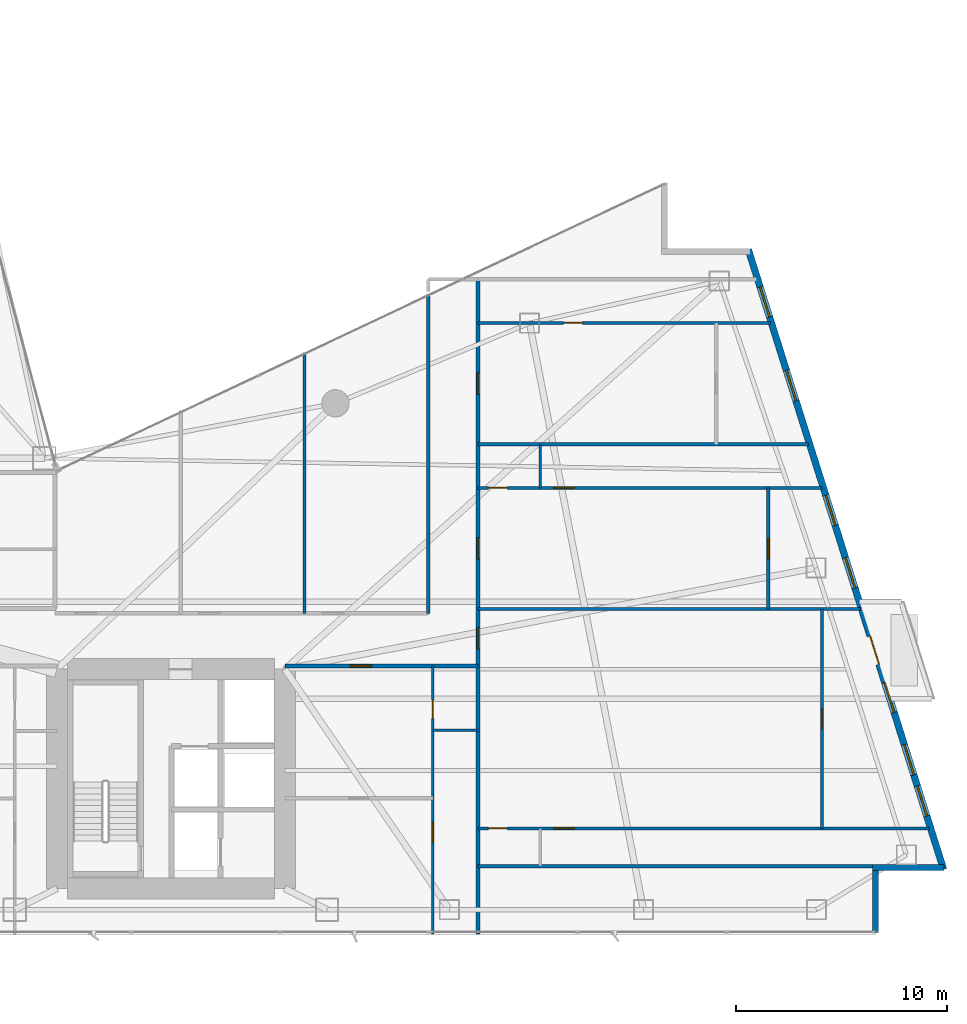
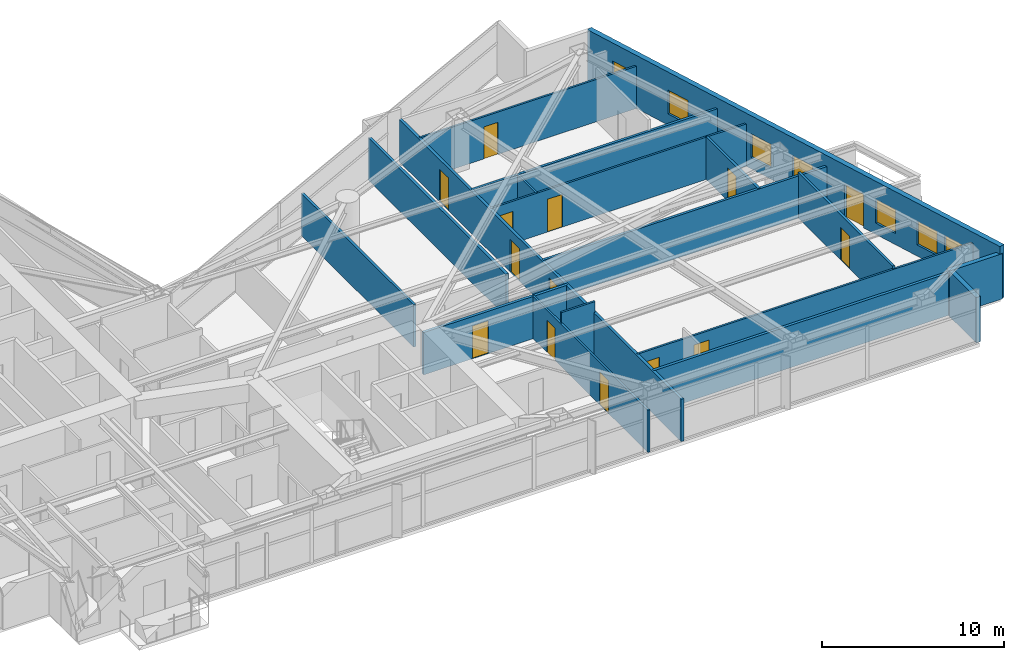
# One storey, part 24 of 29: 18 walls, 14 doors, 7 windows, 21 openings.
"""IFC4 building model written with IfcOpenShell, lengths in metres."""

from ifc_helpers import new_model, si_unit, direction, frame, frame_2d, origin, place, context, subcontext, project, spatial, rectangle, extrude, material, layer, layer_set, type_object, element, fill, save


model = new_model("IFC4")

# Units and contexts
model_context = context("Model", 3, precision=1e-05, world=origin(), true_north=direction((0.0, 1.0)))
body_context = subcontext(model_context, "Body", "Model", "MODEL_VIEW")
ifc_project = project(units=[si_unit("LENGTHUNIT", "METRE"), si_unit("AREAUNIT", "SQUARE_METRE"), si_unit("VOLUMEUNIT", "CUBIC_METRE"), si_unit("PLANEANGLEUNIT", "RADIAN"), si_unit("MASSUNIT", "GRAM", prefix="KILO")], contexts=[model_context])

# Site, building, storey
site_placement = place(None, origin())
site = spatial("IfcSite", under=ifc_project, at=site_placement, CompositionType="ELEMENT")
building_placement = place(site_placement, origin())
building = spatial("IfcBuilding", under=site, at=building_placement, Name="Calvorn Quay Hotel", CompositionType="ELEMENT")
storey_placement = place(building_placement, frame((0.0, 0.0, 58.39990234375)))
storey = spatial("IfcBuildingStorey", under=building, at=storey_placement, Name="L13", CompositionType="ELEMENT", Elevation=58.39990234375)

# Wall, opening, door
ifc_material_1 = material(Name="Acoustic Fireboard Steel-Stud Partition", Category="steel")
ifc_layer_1 = layer(ifc_material_1, 0.179931640625)
ifc_layer_set_1 = layer_set([ifc_layer_1], Name="WL-CORR-FIRE-180")
wall_type_1 = type_object("IfcWallType", Name="WL-CORR-FIRE-180", PredefinedType="PARTITIONING", material=ifc_layer_set_1)
wall_1_placement = place(storey_placement, frame((32.39990234375, 15.14990234375, 0.0), z_axis=(0.0, 0.0, 1.0), x_axis=(1.0, 0.0, 0.0)))
wall_1 = element("IfcWall", 1, at=wall_1_placement, inside=storey, type_object=wall_type_1, Name="Partition Wall L13-WL-CORR-SE-S", PredefinedType="PARTITIONING", context=body_context, shape_type="SweptSolid", body=[
    extrude(rectangle(XDim=9.150146484375, YDim=0.179931640625, at=frame_2d((4.5751953125, 0.0))), origin(), (0.0, 0.0, 1.0), 2.840087890625),
])
opening_1_placement = place(wall_1_placement, frame((3.10009765625, 0.0, 0.0)))
opening_1 = element("IfcOpeningElement", 2, at=opening_1_placement, cuts=wall_1, Name="Opening D-L13-U06", PredefinedType="OPENING", context=body_context, shape_type="SweptSolid", body=[
    extrude(rectangle(XDim=1.02001953125, YDim=2.199951171875, at=frame_2d((0.510009765625, 1.10009765625))), frame((0.0, 0.099853515625, 0.0), z_axis=(0.0, -1.0, 0.0), x_axis=(1.0, 0.0, 0.0)), (0.0, 0.0, 1.0), 0.199951171875),
])
ifc_material_2 = material(Name="Solid-Core Walnut Veneer Hotel Fire Door")
door_type_1 = type_object("IfcDoorType", Name="DR-GUEST-ENTRY-1020", OperationType="NOTDEFINED", PredefinedType="DOOR", material=ifc_material_2)
door_1_placement = place(opening_1_placement, origin())
door_1 = element("IfcDoor", 3, at=door_1_placement, inside=storey, type_object=door_type_1, Name="South-East Unit Door U06 (L13)", OperationType="SINGLE_SWING_LEFT", OverallHeight=2.199951171875, OverallWidth=1.02001953125, PredefinedType="DOOR", context=body_context, shape_type="SweptSolid", body=[
    extrude(rectangle(XDim=1.02001953125, YDim=2.199951171875, at=frame_2d((0.510009765625, 1.10009765625))), frame((0.0, 0.02490234375, 0.0), z_axis=(0.0, -1.0, 0.0), x_axis=(1.0, 0.0, 0.0)), (0.0, 0.0, 1.0), 0.050048828125),
])
fill(opening_1, door_1)

# Walls
wall_2_placement = place(storey_placement, frame((39.199951171875, 17.64990234375, 0.0), z_axis=(0.0, 0.0, 1.0), x_axis=(0.0, 1.0, 0.0)))
element("IfcWall", 4, at=wall_2_placement, inside=storey, type_object=wall_type_1, Name="Partition Wall L13-WL-NE-END-E", PredefinedType="PARTITIONING", context=body_context, shape_type="SweptSolid", body=[
    extrude(rectangle(XDim=15.14013671875, YDim=0.179931640625, at=frame_2d((7.570068359375, 0.0))), origin(), (0.0, 0.0, 1.0), 2.840087890625),
])
wall_3_placement = place(storey_placement, frame((41.550048828125, 5.659912109375, 0.0), z_axis=(0.0, 0.0, 1.0), x_axis=(1.0, 0.0, 0.0)))
element("IfcWall", 5, at=wall_3_placement, inside=storey, type_object=wall_type_1, Name="Partition Wall L13-WL-TIP-S", PredefinedType="PARTITIONING", context=body_context, shape_type="SweptSolid", body=[
    extrude(rectangle(XDim=18.849853515625, YDim=0.179931640625, at=frame_2d((9.4248046875, 0.0))), origin(), (0.0, 0.0, 1.0), 2.840087890625),
])

# Wall, openings, doors
wall_4_placement = place(storey_placement, frame((41.550048828125, 2.43994140625, 0.0), z_axis=(0.0, 0.0, 1.0), x_axis=(0.0, 1.0, 0.0)))
wall_4 = element("IfcWall", 6, at=wall_4_placement, inside=storey, type_object=wall_type_1, Name="Partition Wall L13-WL-CORR-TIP-E", PredefinedType="PARTITIONING", context=body_context, shape_type="SweptSolid", body=[
    extrude(rectangle(XDim=31.0400390625, YDim=0.179931640625, at=frame_2d((15.52001953125, 0.0))), origin(), (0.0, 0.0, 1.0), 2.840087890625),
])
opening_2_placement = place(wall_4_placement, frame((13.510009765625, 0.0, 0.0)))
opening_2 = element("IfcOpeningElement", 7, at=opening_2_placement, cuts=wall_4, Name="Opening D-L13-U07", PredefinedType="OPENING", context=body_context, shape_type="SweptSolid", body=[
    extrude(rectangle(XDim=1.02001953125, YDim=2.199951171875, at=frame_2d((0.510009765625, 1.10009765625))), frame((0.0, 0.099853515625, 0.0), z_axis=(0.0, -1.0, 0.0), x_axis=(1.0, 0.0, 0.0)), (0.0, 0.0, 1.0), 0.199951171875),
])
opening_3_placement = place(wall_4_placement, frame((17.77001953125, 0.0, 0.0)))
opening_3 = element("IfcOpeningElement", 8, at=opening_3_placement, cuts=wall_4, Name="Opening D-L13-U08", PredefinedType="OPENING", context=body_context, shape_type="SweptSolid", body=[
    extrude(rectangle(XDim=1.02001953125, YDim=2.199951171875, at=frame_2d((0.510009765625, 1.10009765625))), frame((0.0, 0.099853515625, 0.0), z_axis=(0.0, -1.0, 0.0), x_axis=(1.0, 0.0, 0.0)), (0.0, 0.0, 1.0), 0.199951171875),
])
opening_4_placement = place(wall_4_placement, frame((25.580078125, 0.0, 0.0)))
opening_4 = element("IfcOpeningElement", 9, at=opening_4_placement, cuts=wall_4, Name="Opening D-L13-U09", PredefinedType="OPENING", context=body_context, shape_type="SweptSolid", body=[
    extrude(rectangle(XDim=1.02001953125, YDim=2.199951171875, at=frame_2d((0.510009765625, 1.10009765625))), frame((0.0, 0.099853515625, 0.0), z_axis=(0.0, -1.0, 0.0), x_axis=(1.0, 0.0, 0.0)), (0.0, 0.0, 1.0), 0.199951171875),
])
door_2_placement = place(opening_2_placement, origin())
door_2 = element("IfcDoor", 10, at=door_2_placement, inside=storey, type_object=door_type_1, Name="Terrace Suite Door U07 (L13)", OperationType="SINGLE_SWING_LEFT", OverallHeight=2.199951171875, OverallWidth=1.02001953125, PredefinedType="DOOR", context=body_context, shape_type="SweptSolid", body=[
    extrude(rectangle(XDim=1.02001953125, YDim=2.199951171875, at=frame_2d((0.510009765625, 1.10009765625))), frame((0.0, 0.02490234375, 0.0), z_axis=(0.0, -1.0, 0.0), x_axis=(1.0, 0.0, 0.0)), (0.0, 0.0, 1.0), 0.050048828125),
])
fill(opening_2, door_2)
door_3_placement = place(opening_3_placement, origin())
door_3 = element("IfcDoor", 11, at=door_3_placement, inside=storey, type_object=door_type_1, Name="Mid-East Suite Door U08 (L13)", OperationType="SINGLE_SWING_RIGHT", OverallHeight=2.199951171875, OverallWidth=1.02001953125, PredefinedType="DOOR", context=body_context, shape_type="SweptSolid", body=[
    extrude(rectangle(XDim=1.02001953125, YDim=2.199951171875, at=frame_2d((0.510009765625, 1.10009765625))), frame((0.0, 0.02490234375, 0.0), z_axis=(0.0, -1.0, 0.0), x_axis=(1.0, 0.0, 0.0)), (0.0, 0.0, 1.0), 0.050048828125),
])
fill(opening_3, door_3)
door_4_placement = place(opening_4_placement, origin())
door_4 = element("IfcDoor", 12, at=door_4_placement, inside=storey, type_object=door_type_1, Name="Horizon Suite Door U09 (L13)", OperationType="SINGLE_SWING_LEFT", OverallHeight=2.199951171875, OverallWidth=1.02001953125, PredefinedType="DOOR", context=body_context, shape_type="SweptSolid", body=[
    extrude(rectangle(XDim=1.02001953125, YDim=2.199951171875, at=frame_2d((0.510009765625, 1.10009765625))), frame((0.0, 0.02490234375, 0.0), z_axis=(0.0, -1.0, 0.0), x_axis=(1.0, 0.0, 0.0)), (0.0, 0.0, 1.0), 0.050048828125),
])
fill(opening_4, door_4)

# Wall
ifc_material_3 = material(Name="Moisture-Resistant Tile-Backed Partition")
ifc_layer_2 = layer(ifc_material_3, 0.125)
ifc_layer_set_2 = layer_set([ifc_layer_2], Name="WL-ENSUITE-125")
wall_type_2 = type_object("IfcWallType", Name="WL-ENSUITE-125", PredefinedType="PARTITIONING", material=ifc_layer_set_2)
wall_5_placement = place(storey_placement, frame((39.419921875, 12.10009765625, 0.0), z_axis=(0.0, 0.0, 1.0), x_axis=(1.0, 0.0, 0.0)))
element("IfcWall", 13, at=wall_5_placement, inside=storey, type_object=wall_type_2, Name="Partition Wall L13-WL-U06-BDV", PredefinedType="PARTITIONING", context=body_context, shape_type="SweptSolid", body=[
    extrude(rectangle(XDim=2.130126953125, YDim=0.125, at=frame_2d((1.06494140625, 0.0))), origin(), (0.0, 0.0, 1.0), 3.56005859375),
])

# Wall, openings, doors
wall_6_placement = place(storey_placement, frame((39.419921875, 2.43994140625, 0.0), z_axis=(0.0, 0.0, 1.0), x_axis=(0.0, 1.0, 0.0)))
wall_6 = element("IfcWall", 14, at=wall_6_placement, inside=storey, type_object=wall_type_2, Name="Partition Wall L13-WL-U06-BV", PredefinedType="PARTITIONING", context=body_context, shape_type="SweptSolid", body=[
    extrude(rectangle(XDim=12.7099609375, YDim=0.125, at=frame_2d((6.35498046875, 0.0))), origin(), (0.0, 0.0, 1.0), 2.840087890625),
])
opening_5_placement = place(wall_6_placement, frame((4.35009765625, 0.0, 0.0)))
opening_5 = element("IfcOpeningElement", 15, at=opening_5_placement, cuts=wall_6, Name="Opening D-L13-S06", PredefinedType="OPENING", context=body_context, shape_type="SweptSolid", body=[
    extrude(rectangle(XDim=0.9599609375, YDim=2.199951171875, at=frame_2d((0.47998046875, 1.10009765625))), frame((0.0, 0.072509765625, 0.0), z_axis=(0.0, -1.0, 0.0), x_axis=(1.0, 0.0, 0.0)), (0.0, 0.0, 1.0), 0.14501953125),
])
opening_6_placement = place(wall_6_placement, frame((10.2099609375, 0.0, 0.0)))
opening_6 = element("IfcOpeningElement", 16, at=opening_6_placement, cuts=wall_6, Name="Opening D-L13-E06", PredefinedType="OPENING", context=body_context, shape_type="SweptSolid", body=[
    extrude(rectangle(XDim=0.89990234375, YDim=2.14990234375, at=frame_2d((0.449951171875, 1.074951171875))), frame((0.0, 0.072509765625, 0.0), z_axis=(0.0, -1.0, 0.0), x_axis=(1.0, 0.0, 0.0)), (0.0, 0.0, 1.0), 0.14501953125),
])
ifc_material_4 = material(Name="Moisture-Sealed Timber En-Suite Door", Category="wood")
door_type_2 = type_object("IfcDoorType", Name="DR-ENSUITE-900", OperationType="NOTDEFINED", PredefinedType="DOOR", material=ifc_material_4)
door_5_placement = place(opening_6_placement, origin())
door_5 = element("IfcDoor", 17, at=door_5_placement, inside=storey, type_object=door_type_2, Name="En-Suite Door 06", OperationType="SINGLE_SWING_RIGHT", OverallHeight=2.14990234375, OverallWidth=0.89990234375, PredefinedType="DOOR", context=body_context, shape_type="SweptSolid", body=[
    extrude(rectangle(XDim=0.89990234375, YDim=2.14990234375, at=frame_2d((0.449951171875, 1.074951171875))), frame((0.0, 0.02490234375, 0.0), z_axis=(0.0, -1.0, 0.0), x_axis=(1.0, 0.0, 0.0)), (0.0, 0.0, 1.0), 0.050048828125),
])
fill(opening_6, door_5)
ifc_material_5 = material(Name="Solid Timber Internal Suite Door", Category="wood")
door_type_3 = type_object("IfcDoorType", Name="DR-SUITE-INT-960", OperationType="NOTDEFINED", PredefinedType="DOOR", material=ifc_material_5)
door_6_placement = place(opening_5_placement, origin())
door_6 = element("IfcDoor", 18, at=door_6_placement, inside=storey, type_object=door_type_3, Name="Private Executive Study Door 06", OperationType="SINGLE_SWING_LEFT", OverallHeight=2.199951171875, OverallWidth=0.9599609375, PredefinedType="DOOR", context=body_context, shape_type="SweptSolid", body=[
    extrude(rectangle(XDim=0.9599609375, YDim=2.199951171875, at=frame_2d((0.47998046875, 1.10009765625))), frame((0.0, 0.02490234375, 0.0), z_axis=(0.0, -1.0, 0.0), x_axis=(1.0, 0.0, 0.0)), (0.0, 0.0, 1.0), 0.050048828125),
])
fill(opening_5, door_6)

wall_7_placement = place(storey_placement, frame((41.550048828125, 7.449951171875, 0.0), z_axis=(0.0, 0.0, 1.0), x_axis=(1.0, 0.0, 0.0)))
wall_7 = element("IfcWall", 19, at=wall_7_placement, inside=storey, type_object=wall_type_2, Name="Partition Wall L13-WL-U07-BH", PredefinedType="PARTITIONING", context=body_context, shape_type="SweptSolid", body=[
    extrude(rectangle(XDim=21.409912109375, YDim=0.125, at=frame_2d((10.705078125, 0.0))), origin(), (0.0, 0.0, 1.0), 2.840087890625),
])
opening_7_placement = place(wall_7_placement, frame((0.5, 0.0, 0.0)))
opening_7 = element("IfcOpeningElement", 20, at=opening_7_placement, cuts=wall_7, Name="Opening D-L13-E07", PredefinedType="OPENING", context=body_context, shape_type="SweptSolid", body=[
    extrude(rectangle(XDim=0.89990234375, YDim=2.14990234375, at=frame_2d((0.449951171875, 1.074951171875))), frame((0.0, 0.072509765625, 0.0), z_axis=(0.0, -1.0, 0.0), x_axis=(1.0, 0.0, 0.0)), (0.0, 0.0, 1.0), 0.14501953125),
])
opening_8_placement = place(wall_7_placement, frame((3.60009765625, 0.0, 0.0)))
opening_8 = element("IfcOpeningElement", 21, at=opening_8_placement, cuts=wall_7, Name="Opening D-L13-S07", PredefinedType="OPENING", context=body_context, shape_type="SweptSolid", body=[
    extrude(rectangle(XDim=0.9599609375, YDim=2.199951171875, at=frame_2d((0.47998046875, 1.10009765625))), frame((0.0, 0.072509765625, 0.0), z_axis=(0.0, -1.0, 0.0), x_axis=(1.0, 0.0, 0.0)), (0.0, 0.0, 1.0), 0.14501953125),
])
door_7_placement = place(opening_7_placement, origin())
door_7 = element("IfcDoor", 22, at=door_7_placement, inside=storey, type_object=door_type_2, Name="En-Suite Door 07", OperationType="SINGLE_SWING_LEFT", OverallHeight=2.14990234375, OverallWidth=0.89990234375, PredefinedType="DOOR", context=body_context, shape_type="SweptSolid", body=[
    extrude(rectangle(XDim=0.89990234375, YDim=2.14990234375, at=frame_2d((0.449951171875, 1.074951171875))), frame((0.0, 0.02490234375, 0.0), z_axis=(0.0, -1.0, 0.0), x_axis=(1.0, 0.0, 0.0)), (0.0, 0.0, 1.0), 0.050048828125),
])
fill(opening_7, door_7)
door_8_placement = place(opening_8_placement, origin())
door_8 = element("IfcDoor", 23, at=door_8_placement, inside=storey, type_object=door_type_3, Name="Private Executive Study Door 07", OperationType="SINGLE_SWING_RIGHT", OverallHeight=2.199951171875, OverallWidth=0.9599609375, PredefinedType="DOOR", context=body_context, shape_type="SweptSolid", body=[
    extrude(rectangle(XDim=0.9599609375, YDim=2.199951171875, at=frame_2d((0.47998046875, 1.10009765625))), frame((0.0, 0.02490234375, 0.0), z_axis=(0.0, -1.0, 0.0), x_axis=(1.0, 0.0, 0.0)), (0.0, 0.0, 1.0), 0.050048828125),
])
fill(opening_8, door_8)

# Wall
wall_8_placement = place(storey_placement, frame((44.5, 23.590087890625, 0.0), z_axis=(0.0, 0.0, 1.0), x_axis=(0.0, 1.0, 0.0)))
element("IfcWall", 24, at=wall_8_placement, inside=storey, type_object=wall_type_2, Name="Partition Wall L13-WL-U08-BDV", PredefinedType="PARTITIONING", context=body_context, shape_type="SweptSolid", body=[
    extrude(rectangle(XDim=2.06982421875, YDim=0.125, at=frame_2d((1.034912109375, 0.0))), origin(), (0.0, 0.0, 1.0), 2.840087890625),
])

# Wall, openings, doors
wall_9_placement = place(storey_placement, frame((41.550048828125, 23.590087890625, 0.0), z_axis=(0.0, 0.0, 1.0), x_axis=(1.0, 0.0, 0.0)))
wall_9 = element("IfcWall", 25, at=wall_9_placement, inside=storey, type_object=wall_type_2, Name="Partition Wall L13-WL-U08-BH", PredefinedType="PARTITIONING", context=body_context, shape_type="SweptSolid", body=[
    extrude(rectangle(XDim=16.320068359375, YDim=0.125, at=frame_2d((8.16015625, 0.0))), origin(), (0.0, 0.0, 1.0), 2.840087890625),
])
opening_9_placement = place(wall_9_placement, frame((0.5, 0.0, 0.0)))
opening_9 = element("IfcOpeningElement", 26, at=opening_9_placement, cuts=wall_9, Name="Opening D-L13-E08", PredefinedType="OPENING", context=body_context, shape_type="SweptSolid", body=[
    extrude(rectangle(XDim=0.89990234375, YDim=2.14990234375, at=frame_2d((0.449951171875, 1.074951171875))), frame((0.0, 0.072509765625, 0.0), z_axis=(0.0, -1.0, 0.0), x_axis=(1.0, 0.0, 0.0)), (0.0, 0.0, 1.0), 0.14501953125),
])
opening_10_placement = place(wall_9_placement, frame((3.60009765625, 0.0, 0.0)))
opening_10 = element("IfcOpeningElement", 27, at=opening_10_placement, cuts=wall_9, Name="Opening D-L13-S08", PredefinedType="OPENING", context=body_context, shape_type="SweptSolid", body=[
    extrude(rectangle(XDim=0.9599609375, YDim=2.199951171875, at=frame_2d((0.47998046875, 1.10009765625))), frame((0.0, 0.072509765625, 0.0), z_axis=(0.0, -1.0, 0.0), x_axis=(1.0, 0.0, 0.0)), (0.0, 0.0, 1.0), 0.14501953125),
])
door_9_placement = place(opening_9_placement, origin())
door_9 = element("IfcDoor", 28, at=door_9_placement, inside=storey, type_object=door_type_2, Name="En-Suite Door 08", OperationType="SINGLE_SWING_LEFT", OverallHeight=2.14990234375, OverallWidth=0.89990234375, PredefinedType="DOOR", context=body_context, shape_type="SweptSolid", body=[
    extrude(rectangle(XDim=0.89990234375, YDim=2.14990234375, at=frame_2d((0.449951171875, 1.074951171875))), frame((0.0, 0.02490234375, 0.0), z_axis=(0.0, -1.0, 0.0), x_axis=(1.0, 0.0, 0.0)), (0.0, 0.0, 1.0), 0.050048828125),
])
fill(opening_9, door_9)
door_10_placement = place(opening_10_placement, origin())
door_10 = element("IfcDoor", 29, at=door_10_placement, inside=storey, type_object=door_type_3, Name="Private Executive Study Door 08", OperationType="SINGLE_SWING_RIGHT", OverallHeight=2.199951171875, OverallWidth=0.9599609375, PredefinedType="DOOR", context=body_context, shape_type="SweptSolid", body=[
    extrude(rectangle(XDim=0.9599609375, YDim=2.199951171875, at=frame_2d((0.47998046875, 1.10009765625))), frame((0.0, 0.02490234375, 0.0), z_axis=(0.0, -1.0, 0.0), x_axis=(1.0, 0.0, 0.0)), (0.0, 0.0, 1.0), 0.050048828125),
])
fill(opening_10, door_10)

# Wall, opening, door
wall_10_placement = place(storey_placement, frame((41.550048828125, 31.409912109375, 0.0), z_axis=(0.0, 0.0, 1.0), x_axis=(1.0, 0.0, 0.0)))
wall_10 = element("IfcWall", 30, at=wall_10_placement, inside=storey, type_object=wall_type_2, Name="Partition Wall L13-WL-U09-BH", PredefinedType="PARTITIONING", context=body_context, shape_type="SweptSolid", body=[
    extrude(rectangle(XDim=13.85986328125, YDim=0.125, at=frame_2d((6.929931640625, 0.0))), origin(), (0.0, 0.0, 1.0), 2.840087890625),
])
opening_11_placement = place(wall_10_placement, frame((4.070068359375, 0.0, 0.0)))
opening_11 = element("IfcOpeningElement", 31, at=opening_11_placement, cuts=wall_10, Name="Opening D-L13-E09", PredefinedType="OPENING", context=body_context, shape_type="SweptSolid", body=[
    extrude(rectangle(XDim=0.89990234375, YDim=2.14990234375, at=frame_2d((0.449951171875, 1.074951171875))), frame((0.0, 0.072509765625, 0.0), z_axis=(0.0, -1.0, 0.0), x_axis=(1.0, 0.0, 0.0)), (0.0, 0.0, 1.0), 0.14501953125),
])
door_11_placement = place(opening_11_placement, origin())
door_11 = element("IfcDoor", 32, at=door_11_placement, inside=storey, type_object=door_type_2, Name="En-Suite Door 09", OperationType="SINGLE_SWING_LEFT", OverallHeight=2.14990234375, OverallWidth=0.89990234375, PredefinedType="DOOR", context=body_context, shape_type="SweptSolid", body=[
    extrude(rectangle(XDim=0.89990234375, YDim=2.14990234375, at=frame_2d((0.449951171875, 1.074951171875))), frame((0.0, 0.02490234375, 0.0), z_axis=(0.0, -1.0, 0.0), x_axis=(1.0, 0.0, 0.0)), (0.0, 0.0, 1.0), 0.050048828125),
])
fill(opening_11, door_11)

# Walls
ifc_material_6 = material(Name="Concrete C40", Category="concrete")
ifc_layer_3 = layer(ifc_material_6, 0.320068359375)
ifc_layer_set_3 = layer_set([ifc_layer_3], Name="WL-EXT-SPANDREL-320")
wall_type_3 = type_object("IfcWallType", Name="WL-EXT-SPANDREL-320", PredefinedType="SOLIDWALL", material=ifc_layer_set_3)
wall_11_placement = place(storey_placement, frame((60.39990234375, 2.52001953125, 0.0), z_axis=(0.0, 0.0, 1.0), x_axis=(0.0, 1.0, 0.0)))
element("IfcWall", 33, at=wall_11_placement, inside=storey, type_object=wall_type_3, Name="Notched Corner Spandrel L13-SE1", PredefinedType="SOLIDWALL", context=body_context, shape_type="SweptSolid", body=[
    extrude(rectangle(XDim=2.93994140625, YDim=0.280029296875, at=frame_2d((1.469970703125, 0.0))), origin(), (0.0, 0.0, 1.0), 3.0400390625),
])
wall_12_placement = place(storey_placement, frame((60.260009765625, 5.60009765625, 0.0), z_axis=(0.0, 0.0, 1.0), x_axis=(1.0, 0.0, 0.0)))
element("IfcWall", 34, at=wall_12_placement, inside=storey, type_object=wall_type_3, Name="Notched Corner Spandrel L13-SE2", PredefinedType="SOLIDWALL", context=body_context, shape_type="SweptSolid", body=[
    extrude(rectangle(XDim=3.3798828125, YDim=0.280029296875, at=frame_2d((1.68994140625, 0.0))), origin(), (0.0, 0.0, 1.0), 3.0400390625),
])

# Wall, openings, door, windows
wall_13_placement = place(storey_placement, frame((63.6298828125, 5.5048828125, 0.0), z_axis=(0.0, 0.0, 1.0), x_axis=(-0.300501856448, 0.953781229775, 0.0)))
wall_13 = element("IfcWall", 35, at=wall_13_placement, inside=storey, type_object=wall_type_3, Name="East Stepped Waterfront Exterior Wall (L13)", PredefinedType="SOLIDWALL", context=body_context, shape_type="SweptSolid", body=[
    extrude(rectangle(XDim=30.814453125, YDim=0.320068359375, at=frame_2d((15.4072265625, 0.0))), origin(), (0.0, 0.0, 1.0), 3.56005859375),
])
opening_12_placement = place(wall_13_placement, frame((10.198974609375, 0.0, 0.0)))
opening_12 = element("IfcOpeningElement", 36, at=opening_12_placement, cuts=wall_13, Name="Opening DB-L13-1", PredefinedType="OPENING", context=body_context, shape_type="SweptSolid", body=[
    extrude(rectangle(XDim=1.39990234375, YDim=2.25, at=frame_2d((0.699951171875, 1.125))), frame((0.0, 0.169921875, 0.0), z_axis=(0.0, -1.0, 0.0), x_axis=(1.0, 0.0, 0.0)), (0.0, 0.0, 1.0), 0.340087890625),
])
opening_13_placement = place(wall_13_placement, frame((2.64990234375, 0.0, 0.75)))
opening_13 = element("IfcOpeningElement", 37, at=opening_13_placement, cuts=wall_13, Name="Opening WG-L13-E1", PredefinedType="OPENING", context=body_context, shape_type="SweptSolid", body=[
    extrude(rectangle(XDim=1.5, YDim=1.60009765625, at=frame_2d((0.75, 0.800048828125))), frame((0.0, 0.169921875, 0.0), z_axis=(0.0, -1.0, 0.0), x_axis=(1.0, 0.0, 0.0)), (0.0, 0.0, 1.0), 0.340087890625),
])
opening_14_placement = place(wall_13_placement, frame((4.699951171875, 0.0, 0.75)))
opening_14 = element("IfcOpeningElement", 38, at=opening_14_placement, cuts=wall_13, Name="Opening WG-L13-E2", PredefinedType="OPENING", context=body_context, shape_type="SweptSolid", body=[
    extrude(rectangle(XDim=1.5, YDim=1.60009765625, at=frame_2d((0.75, 0.800048828125))), frame((0.0, 0.169921875, 0.0), z_axis=(0.0, -1.0, 0.0), x_axis=(1.0, 0.0, 0.0)), (0.0, 0.0, 1.0), 0.340087890625),
])
opening_15_placement = place(wall_13_placement, frame((7.800048828125, 0.0, 0.75)))
opening_15 = element("IfcOpeningElement", 39, at=opening_15_placement, cuts=wall_13, Name="Opening WG-L13-E3", PredefinedType="OPENING", context=body_context, shape_type="SweptSolid", body=[
    extrude(rectangle(XDim=1.5, YDim=1.60009765625, at=frame_2d((0.75, 0.800048828125))), frame((0.0, 0.169921875, 0.0), z_axis=(0.0, -1.0, 0.0), x_axis=(1.0, 0.0, 0.0)), (0.0, 0.0, 1.0), 0.340087890625),
])
opening_16_placement = place(wall_13_placement, frame((14.0, 0.0, 0.75)))
opening_16 = element("IfcOpeningElement", 40, at=opening_16_placement, cuts=wall_13, Name="Opening WG-L13-E4", PredefinedType="OPENING", context=body_context, shape_type="SweptSolid", body=[
    extrude(rectangle(XDim=1.5, YDim=1.60009765625, at=frame_2d((0.75, 0.800048828125))), frame((0.0, 0.169921875, 0.0), z_axis=(0.0, -1.0, 0.0), x_axis=(1.0, 0.0, 0.0)), (0.0, 0.0, 1.0), 0.340087890625),
])
opening_17_placement = place(wall_13_placement, frame((17.10009765625, 0.0, 0.75)))
opening_17 = element("IfcOpeningElement", 41, at=opening_17_placement, cuts=wall_13, Name="Opening WG-L13-E5", PredefinedType="OPENING", context=body_context, shape_type="SweptSolid", body=[
    extrude(rectangle(XDim=1.5, YDim=1.60009765625, at=frame_2d((0.75, 0.800048828125))), frame((0.0, 0.169921875, 0.0), z_axis=(0.0, -1.0, 0.0), x_axis=(1.0, 0.0, 0.0)), (0.0, 0.0, 1.0), 0.340087890625),
])
opening_18_placement = place(wall_13_placement, frame((23.300048828125, 0.0, 0.75)))
opening_18 = element("IfcOpeningElement", 42, at=opening_18_placement, cuts=wall_13, Name="Opening WG-L13-E6", PredefinedType="OPENING", context=body_context, shape_type="SweptSolid", body=[
    extrude(rectangle(XDim=1.5, YDim=1.60009765625, at=frame_2d((0.75, 0.800048828125))), frame((0.0, 0.169921875, 0.0), z_axis=(0.0, -1.0, 0.0), x_axis=(1.0, 0.0, 0.0)), (0.0, 0.0, 1.0), 0.340087890625),
])
opening_19_placement = place(wall_13_placement, frame((27.449951171875, 0.0, 0.75)))
opening_19 = element("IfcOpeningElement", 43, at=opening_19_placement, cuts=wall_13, Name="Opening WG-L13-E7", PredefinedType="OPENING", context=body_context, shape_type="SweptSolid", body=[
    extrude(rectangle(XDim=1.5, YDim=1.60009765625, at=frame_2d((0.75, 0.800048828125))), frame((0.0, 0.169921875, 0.0), z_axis=(0.0, -1.0, 0.0), x_axis=(1.0, 0.0, 0.0)), (0.0, 0.0, 1.0), 0.340087890625),
])
ifc_material_7 = material(Name="Typhoon-Rated Low-E Aluminium Terrace Door", Category="aluminium")
door_type_4 = type_object("IfcDoorType", Name="DR-BALCONY-GLZ-1400", OperationType="NOTDEFINED", PredefinedType="DOOR", material=ifc_material_7)
door_12_placement = place(opening_12_placement, origin())
door_12 = element("IfcDoor", 44, at=door_12_placement, inside=storey, type_object=door_type_4, Name="Tree Balcony Terrace Door L13-BALC-E", OperationType="SINGLE_SWING_LEFT", OverallHeight=2.25, OverallWidth=1.39990234375, PredefinedType="DOOR", context=body_context, shape_type="SweptSolid", body=[
    extrude(rectangle(XDim=1.39990234375, YDim=2.25, at=frame_2d((0.699951171875, 1.125))), frame((0.0, 0.02490234375, 0.0), z_axis=(0.0, -1.0, 0.0), x_axis=(1.0, 0.0, 0.0)), (0.0, 0.0, 1.0), 0.050048828125),
])
fill(opening_12, door_12)
ifc_material_8 = material(Name="Self-Closing Class B Fire Window")
window_type = type_object("IfcWindowType", Name="WIN-REFUGE-1500x1600", PartitioningType="SINGLE_PANEL", PredefinedType="WINDOW", material=ifc_material_8)
window_1_placement = place(opening_13_placement, origin())
window_1 = element("IfcWindow", 45, at=window_1_placement, inside=storey, type_object=window_type, Name="East Facade Window L13-E1", OverallHeight=1.60009765625, OverallWidth=1.5, PartitioningType="SINGLE_PANEL", PredefinedType="WINDOW", context=body_context, shape_type="SweptSolid", body=[
    extrude(rectangle(XDim=1.5, YDim=1.60009765625, at=frame_2d((0.75, 0.800048828125))), frame((0.0, 0.030029296875, 0.0), z_axis=(0.0, -1.0, 0.0), x_axis=(1.0, 0.0, 0.0)), (0.0, 0.0, 1.0), 0.06005859375),
])
fill(opening_13, window_1)
window_2_placement = place(opening_14_placement, origin())
window_2 = element("IfcWindow", 46, at=window_2_placement, inside=storey, type_object=window_type, Name="East Facade Window L13-E2", OverallHeight=1.60009765625, OverallWidth=1.5, PartitioningType="SINGLE_PANEL", PredefinedType="WINDOW", context=body_context, shape_type="SweptSolid", body=[
    extrude(rectangle(XDim=1.5, YDim=1.60009765625, at=frame_2d((0.75, 0.800048828125))), frame((0.0, 0.030029296875, 0.0), z_axis=(0.0, -1.0, 0.0), x_axis=(1.0, 0.0, 0.0)), (0.0, 0.0, 1.0), 0.06005859375),
])
fill(opening_14, window_2)
window_3_placement = place(opening_15_placement, origin())
window_3 = element("IfcWindow", 47, at=window_3_placement, inside=storey, type_object=window_type, Name="East Facade Window L13-E3", OverallHeight=1.60009765625, OverallWidth=1.5, PartitioningType="SINGLE_PANEL", PredefinedType="WINDOW", context=body_context, shape_type="SweptSolid", body=[
    extrude(rectangle(XDim=1.5, YDim=1.60009765625, at=frame_2d((0.75, 0.800048828125))), frame((0.0, 0.030029296875, 0.0), z_axis=(0.0, -1.0, 0.0), x_axis=(1.0, 0.0, 0.0)), (0.0, 0.0, 1.0), 0.06005859375),
])
fill(opening_15, window_3)
window_4_placement = place(opening_16_placement, origin())
window_4 = element("IfcWindow", 48, at=window_4_placement, inside=storey, type_object=window_type, Name="East Facade Window L13-E4", OverallHeight=1.60009765625, OverallWidth=1.5, PartitioningType="SINGLE_PANEL", PredefinedType="WINDOW", context=body_context, shape_type="SweptSolid", body=[
    extrude(rectangle(XDim=1.5, YDim=1.60009765625, at=frame_2d((0.75, 0.800048828125))), frame((0.0, 0.030029296875, 0.0), z_axis=(0.0, -1.0, 0.0), x_axis=(1.0, 0.0, 0.0)), (0.0, 0.0, 1.0), 0.06005859375),
])
fill(opening_16, window_4)
window_5_placement = place(opening_17_placement, origin())
window_5 = element("IfcWindow", 49, at=window_5_placement, inside=storey, type_object=window_type, Name="East Facade Window L13-E5", OverallHeight=1.60009765625, OverallWidth=1.5, PartitioningType="SINGLE_PANEL", PredefinedType="WINDOW", context=body_context, shape_type="SweptSolid", body=[
    extrude(rectangle(XDim=1.5, YDim=1.60009765625, at=frame_2d((0.75, 0.800048828125))), frame((0.0, 0.030029296875, 0.0), z_axis=(0.0, -1.0, 0.0), x_axis=(1.0, 0.0, 0.0)), (0.0, 0.0, 1.0), 0.06005859375),
])
fill(opening_17, window_5)
window_6_placement = place(opening_18_placement, origin())
window_6 = element("IfcWindow", 50, at=window_6_placement, inside=storey, type_object=window_type, Name="East Facade Window L13-E6", OverallHeight=1.60009765625, OverallWidth=1.5, PartitioningType="SINGLE_PANEL", PredefinedType="WINDOW", context=body_context, shape_type="SweptSolid", body=[
    extrude(rectangle(XDim=1.5, YDim=1.60009765625, at=frame_2d((0.75, 0.800048828125))), frame((0.0, 0.030029296875, 0.0), z_axis=(0.0, -1.0, 0.0), x_axis=(1.0, 0.0, 0.0)), (0.0, 0.0, 1.0), 0.06005859375),
])
fill(opening_18, window_6)
window_7_placement = place(opening_19_placement, origin())
window_7 = element("IfcWindow", 51, at=window_7_placement, inside=storey, type_object=window_type, Name="East Facade Window L13-E7", OverallHeight=1.60009765625, OverallWidth=1.5, PartitioningType="SINGLE_PANEL", PredefinedType="WINDOW", context=body_context, shape_type="SweptSolid", body=[
    extrude(rectangle(XDim=1.5, YDim=1.60009765625, at=frame_2d((0.75, 0.800048828125))), frame((0.0, 0.030029296875, 0.0), z_axis=(0.0, -1.0, 0.0), x_axis=(1.0, 0.0, 0.0)), (0.0, 0.0, 1.0), 0.06005859375),
])
fill(opening_19, window_7)

# Wall
ifc_material_9 = material(Name="Double-Stud Acoustic Gypsum Partition")
ifc_layer_4 = layer(ifc_material_9, 0.159912109375)
ifc_layer_set_4 = layer_set([ifc_layer_4], Name="WL-INTERSUITE-160")
wall_type_4 = type_object("IfcWallType", Name="WL-INTERSUITE-160", PredefinedType="PARTITIONING", material=ifc_layer_set_4)
wall_14_placement = place(storey_placement, frame((33.330078125, 17.64990234375, 0.0), z_axis=(0.0, 0.0, 1.0), x_axis=(0.0, 1.0, 0.0)))
element("IfcWall", 52, at=wall_14_placement, inside=storey, type_object=wall_type_4, Name="Partition Wall L13-WL-NE-DIV-2", PredefinedType="PARTITIONING", context=body_context, shape_type="SweptSolid", body=[
    extrude(rectangle(XDim=12.3701171875, YDim=0.159912109375, at=frame_2d((6.18505859375, 0.0))), origin(), (0.0, 0.0, 1.0), 2.840087890625),
])

# Wall, opening, door
wall_15_placement = place(storey_placement, frame((57.860107421875, 7.449951171875, 0.0), z_axis=(0.0, 0.0, 1.0), x_axis=(0.0, 1.0, 0.0)))
wall_15 = element("IfcWall", 53, at=wall_15_placement, inside=storey, type_object=wall_type_4, Name="Partition Wall L13-WL-U07-MSP", PredefinedType="PARTITIONING", context=body_context, shape_type="SweptSolid", body=[
    extrude(rectangle(XDim=10.400146484375, YDim=0.159912109375, at=frame_2d((5.2001953125, 0.0))), origin(), (0.0, 0.0, 1.0), 3.0400390625),
])
opening_20_placement = place(wall_15_placement, frame((4.719970703125, 0.0, 0.0)))
opening_20 = element("IfcOpeningElement", 54, at=opening_20_placement, cuts=wall_15, Name="Opening D-L13-M07", PredefinedType="OPENING", context=body_context, shape_type="SweptSolid", body=[
    extrude(rectangle(XDim=0.9599609375, YDim=2.199951171875, at=frame_2d((0.47998046875, 1.10009765625))), frame((0.0, 0.08984375, 0.0), z_axis=(0.0, -1.0, 0.0), x_axis=(1.0, 0.0, 0.0)), (0.0, 0.0, 1.0), 0.179931640625),
])
door_13_placement = place(opening_20_placement, origin())
door_13 = element("IfcDoor", 55, at=door_13_placement, inside=storey, type_object=door_type_3, Name="Suite Bedroom Door 07", OperationType="SINGLE_SWING_LEFT", OverallHeight=2.199951171875, OverallWidth=0.9599609375, PredefinedType="DOOR", context=body_context, shape_type="SweptSolid", body=[
    extrude(rectangle(XDim=0.9599609375, YDim=2.199951171875, at=frame_2d((0.47998046875, 1.10009765625))), frame((0.0, 0.02490234375, 0.0), z_axis=(0.0, -1.0, 0.0), x_axis=(1.0, 0.0, 0.0)), (0.0, 0.0, 1.0), 0.050048828125),
])
fill(opening_20, door_13)

wall_16_placement = place(storey_placement, frame((55.320068359375, 17.85009765625, 0.0), z_axis=(0.0, 0.0, 1.0), x_axis=(0.0, 1.0, 0.0)))
wall_16 = element("IfcWall", 56, at=wall_16_placement, inside=storey, type_object=wall_type_4, Name="Partition Wall L13-WL-U08-MSP", PredefinedType="PARTITIONING", context=body_context, shape_type="SweptSolid", body=[
    extrude(rectangle(XDim=5.739990234375, YDim=0.159912109375, at=frame_2d((2.8701171875, 0.0))), origin(), (0.0, 0.0, 1.0), 2.840087890625),
])
opening_21_placement = place(wall_16_placement, frame((2.389892578125, 0.0, 0.0)))
opening_21 = element("IfcOpeningElement", 57, at=opening_21_placement, cuts=wall_16, Name="Opening D-L13-M08", PredefinedType="OPENING", context=body_context, shape_type="SweptSolid", body=[
    extrude(rectangle(XDim=0.9599609375, YDim=2.199951171875, at=frame_2d((0.47998046875, 1.10009765625))), frame((0.0, 0.08984375, 0.0), z_axis=(0.0, -1.0, 0.0), x_axis=(1.0, 0.0, 0.0)), (0.0, 0.0, 1.0), 0.179931640625),
])
door_14_placement = place(opening_21_placement, origin())
door_14 = element("IfcDoor", 58, at=door_14_placement, inside=storey, type_object=door_type_3, Name="Suite Bedroom Door 08", OperationType="SINGLE_SWING_LEFT", OverallHeight=2.199951171875, OverallWidth=0.9599609375, PredefinedType="DOOR", context=body_context, shape_type="SweptSolid", body=[
    extrude(rectangle(XDim=0.9599609375, YDim=2.199951171875, at=frame_2d((0.47998046875, 1.10009765625))), frame((0.0, 0.02490234375, 0.0), z_axis=(0.0, -1.0, 0.0), x_axis=(1.0, 0.0, 0.0)), (0.0, 0.0, 1.0), 0.050048828125),
])
fill(opening_21, door_14)

# Walls
wall_17_placement = place(storey_placement, frame((41.550048828125, 25.659912109375, 0.0), z_axis=(0.0, 0.0, 1.0), x_axis=(1.0, 0.0, 0.0)))
element("IfcWall", 59, at=wall_17_placement, inside=storey, type_object=wall_type_4, Name="Partition Wall L13-WL-TIP-DIV2", PredefinedType="PARTITIONING", context=body_context, shape_type="SweptSolid", body=[
    extrude(rectangle(XDim=15.669921875, YDim=0.159912109375, at=frame_2d((7.8349609375, 0.0))), origin(), (0.0, 0.0, 1.0), 2.840087890625),
])
wall_18_placement = place(storey_placement, frame((41.550048828125, 17.85009765625, 0.0), z_axis=(0.0, 0.0, 1.0), x_axis=(1.0, 0.0, 0.0)))
element("IfcWall", 60, at=wall_18_placement, inside=storey, type_object=wall_type_4, Name="Partition Wall L13-WL-TIP-DIV", PredefinedType="PARTITIONING", context=body_context, shape_type="SweptSolid", body=[
    extrude(rectangle(XDim=18.1298828125, YDim=0.159912109375, at=frame_2d((9.06494140625, 0.0))), origin(), (0.0, 0.0, 1.0), 2.840087890625),
])

save(model, "model.ifc")
